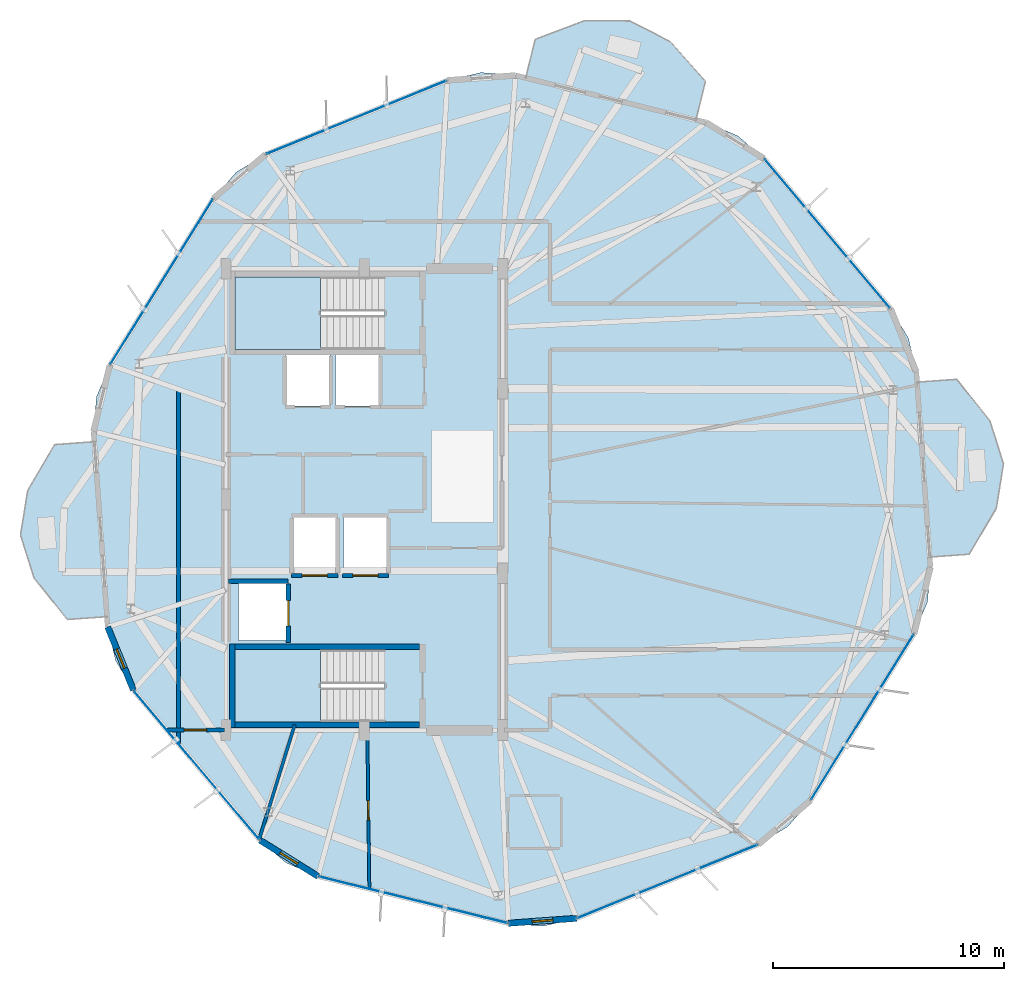
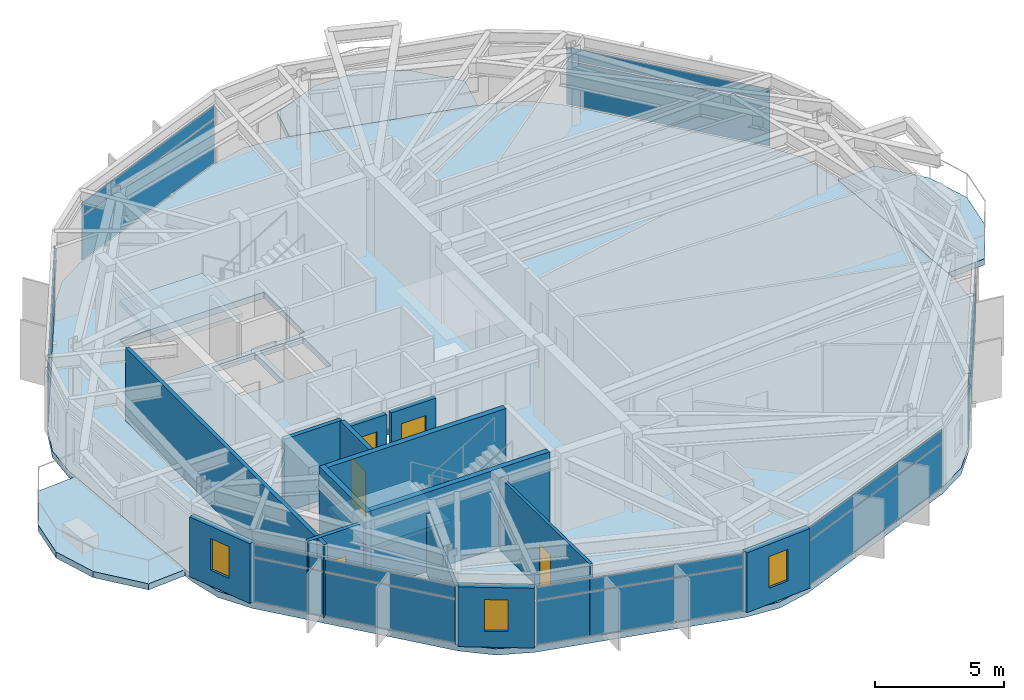
# One storey, part 20 of 26: 14 plates, 14 walls, 6 slabs, 5 doors, 3 windows, 8 openings, 9 elements without a shape of their own.
"""IFC4 building model written with IfcOpenShell, lengths in metres."""

from ifc_helpers import new_model, si_unit, direction, frame, frame_2d, origin, origin_2d, place, context, subcontext, project, spatial, polyline, rectangle, outline, extrude, material, layer, layer_set, type_object, element, fill, aggregate, save


model = new_model("IFC4")

# Units and contexts
model_context = context("Model", 3, precision=1e-05, world=origin(), true_north=direction((0.0, 1.0)))
body_context = subcontext(model_context, "Body", "Model", "MODEL_VIEW")
ifc_project = project(units=[si_unit("LENGTHUNIT", "METRE"), si_unit("AREAUNIT", "SQUARE_METRE"), si_unit("VOLUMEUNIT", "CUBIC_METRE"), si_unit("PLANEANGLEUNIT", "RADIAN"), si_unit("MASSUNIT", "GRAM", prefix="KILO")], contexts=[model_context])

# Site, building, storey
site_placement = place(None, origin())
site = spatial("IfcSite", under=ifc_project, at=site_placement, CompositionType="ELEMENT")
building_placement = place(site_placement, origin())
building = spatial("IfcBuilding", under=site, at=building_placement, Name="Soratama Intermodal Tower", CompositionType="ELEMENT")
storey_placement = place(building_placement, frame((0.0, 0.0, 246.25)))
storey = spatial("IfcBuildingStorey", under=building, at=storey_placement, Name="L62", CompositionType="ELEMENT", Elevation=246.25)

# Curtain wall, plates
ifc_material_1 = material(Name="Double-glazed aluminium curtain wall", Category="aluminium")
ifc_layer_1 = layer(ifc_material_1, 0.159912109375)
ifc_layer_set_1 = layer_set([ifc_layer_1], Name="Double-glazed aluminium curtain wall")
curtain_wall_type = type_object("IfcCurtainWallType", Name="CW-SYS-5", PredefinedType="NOTDEFINED", material=ifc_layer_set_1)
curtain_wall_1_placement = place(storey_placement, origin())
curtain_wall_1 = element("IfcCurtainWall", 1, at=curtain_wall_1_placement, inside=storey, type_object=curtain_wall_type, Name="L62 Faceted Curtain Wall F02", PredefinedType="NOTDEFINED")
ifc_material_2 = material(Name="Low-E laminated double glazing", Category="glass")
ifc_layer_2 = layer(ifc_material_2, 0.02001953125)
ifc_layer_set_2 = layer_set([ifc_layer_2], Name="Low-E laminated double glazing")
plate_type = type_object("IfcPlateType", Name="PT-CWP-5", PredefinedType="CURTAIN_PANEL", material=ifc_layer_set_2)
plate_1_placement = place(storey_placement, frame((38.26171875, 41.5615234375, 0.06005859375), z_axis=(0.0, 0.0, 1.0), x_axis=(-0.926261572372, -0.376881280442, 0.0)))
plate_1 = element("IfcPlate", 2, at=plate_1_placement, type_object=plate_type, Name="CW-5 panel 1.1", PredefinedType="CURTAIN_PANEL", context=body_context, shape_type="SweptSolid", body=[
    extrude(rectangle(XDim=8.379638671875, YDim=0.028076171875, at=origin_2d()), origin(), (0.0, 0.0, 1.0), 2.06005859375),
])
plate_2_placement = place(storey_placement, frame((38.26171875, 41.5615234375, 2.18017578125), z_axis=(0.0, 0.0, 1.0), x_axis=(-0.926261572372, -0.376881280442, 0.0)))
plate_2 = element("IfcPlate", 3, at=plate_2_placement, type_object=plate_type, Name="CW-5 panel 1.2", PredefinedType="CURTAIN_PANEL", context=body_context, shape_type="SweptSolid", body=[
    extrude(rectangle(XDim=8.379638671875, YDim=0.028076171875, at=origin_2d()), origin(), (0.0, 0.0, 1.0), 0.589111328125),
])
aggregate(curtain_wall_1, [plate_1, plate_2])

curtain_wall_2_placement = place(storey_placement, origin())
curtain_wall_2 = element("IfcCurtainWall", 4, at=curtain_wall_2_placement, inside=storey, type_object=curtain_wall_type, Name="L62 Faceted Curtain Wall F03", PredefinedType="NOTDEFINED")
plate_3_placement = place(storey_placement, frame((29.81396484375, 34.437744140625, 0.06005859375), z_axis=(0.0, 0.0, 1.0), x_axis=(-0.527848341818, -0.849338641556, 0.0)))
plate_3 = element("IfcPlate", 5, at=plate_3_placement, type_object=plate_type, Name="CW-5 panel 1.1", PredefinedType="CURTAIN_PANEL", context=body_context, shape_type="SweptSolid", body=[
    extrude(rectangle(XDim=8.3798828125, YDim=0.028076171875, at=origin_2d()), origin(), (0.0, 0.0, 1.0), 2.06005859375),
])
plate_4_placement = place(storey_placement, frame((29.81396484375, 34.437744140625, 2.18017578125), z_axis=(0.0, 0.0, 1.0), x_axis=(-0.527848341818, -0.849338641556, 0.0)))
plate_4 = element("IfcPlate", 6, at=plate_4_placement, type_object=plate_type, Name="CW-5 panel 1.2", PredefinedType="CURTAIN_PANEL", context=body_context, shape_type="SweptSolid", body=[
    extrude(rectangle(XDim=8.3798828125, YDim=0.028076171875, at=origin_2d()), origin(), (0.0, 0.0, 1.0), 0.589111328125),
])
aggregate(curtain_wall_2, [plate_3, plate_4])

curtain_wall_3_placement = place(storey_placement, origin())
curtain_wall_3 = element("IfcCurtainWall", 7, at=curtain_wall_3_placement, inside=storey, type_object=curtain_wall_type, Name="L62 Faceted Curtain Wall F05", PredefinedType="NOTDEFINED")
plate_5_placement = place(storey_placement, frame((31.331298828125, 13.4736328125, 0.06005859375), z_axis=(0.0, 0.0, 1.0), x_axis=(0.644663454047, -0.764466500912, 0.0)))
plate_5 = element("IfcPlate", 8, at=plate_5_placement, type_object=plate_type, Name="CW-5 panel 1.1", PredefinedType="CURTAIN_PANEL", context=body_context, shape_type="SweptSolid", body=[
    extrude(rectangle(XDim=8.3798828125, YDim=0.028076171875, at=origin_2d()), origin(), (0.0, 0.0, 1.0), 2.06005859375),
])
plate_6_placement = place(storey_placement, frame((31.331298828125, 13.4736328125, 2.18017578125), z_axis=(0.0, 0.0, 1.0), x_axis=(0.644663454047, -0.764466500912, 0.0)))
plate_6 = element("IfcPlate", 9, at=plate_6_placement, type_object=plate_type, Name="CW-5 panel 1.2", PredefinedType="CURTAIN_PANEL", context=body_context, shape_type="SweptSolid", body=[
    extrude(rectangle(XDim=8.3798828125, YDim=0.028076171875, at=origin_2d()), origin(), (0.0, 0.0, 1.0), 0.589111328125),
])
aggregate(curtain_wall_3, [plate_5, plate_6])

curtain_wall_4_placement = place(storey_placement, origin())
curtain_wall_4 = element("IfcCurtainWall", 10, at=curtain_wall_4_placement, inside=storey, type_object=curtain_wall_type, Name="L62 Faceted Curtain Wall F06", PredefinedType="NOTDEFINED")
plate_7_placement = place(storey_placement, frame((40.716796875, 7.640869140625, 0.06005859375), z_axis=(0.0, 0.0, 1.0), x_axis=(0.970884634624, -0.239547544865, 0.0)))
plate_7 = element("IfcPlate", 11, at=plate_7_placement, type_object=plate_type, Name="CW-5 panel 1.1", PredefinedType="CURTAIN_PANEL", context=body_context, shape_type="SweptSolid", body=[
    extrude(rectangle(XDim=8.3798828125, YDim=0.028076171875, at=origin_2d()), origin(), (0.0, 0.0, 1.0), 2.06005859375),
])
plate_8_placement = place(storey_placement, frame((40.716796875, 7.640869140625, 2.18017578125), z_axis=(0.0, 0.0, 1.0), x_axis=(0.970884634624, -0.239547544865, 0.0)))
plate_8 = element("IfcPlate", 12, at=plate_8_placement, type_object=plate_type, Name="CW-5 panel 1.2", PredefinedType="CURTAIN_PANEL", context=body_context, shape_type="SweptSolid", body=[
    extrude(rectangle(XDim=8.3798828125, YDim=0.028076171875, at=origin_2d()), origin(), (0.0, 0.0, 1.0), 0.589111328125),
])
aggregate(curtain_wall_4, [plate_7, plate_8])

curtain_wall_5_placement = place(storey_placement, origin())
curtain_wall_5 = element("IfcCurtainWall", 13, at=curtain_wall_5_placement, inside=storey, type_object=curtain_wall_type, Name="L62 Faceted Curtain Wall F07", PredefinedType="NOTDEFINED")
plate_9_placement = place(storey_placement, frame((51.73828125, 8.4384765625, 0.06005859375), z_axis=(0.0, 0.0, 1.0), x_axis=(0.926261572372, 0.376881280442, 0.0)))
plate_9 = element("IfcPlate", 14, at=plate_9_placement, type_object=plate_type, Name="CW-5 panel 1.1", PredefinedType="CURTAIN_PANEL", context=body_context, shape_type="SweptSolid", body=[
    extrude(rectangle(XDim=8.379638671875, YDim=0.028076171875, at=origin_2d()), origin(), (0.0, 0.0, 1.0), 2.06005859375),
])
plate_10_placement = place(storey_placement, frame((51.73828125, 8.4384765625, 2.18017578125), z_axis=(0.0, 0.0, 1.0), x_axis=(0.926261572372, 0.376881280442, 0.0)))
plate_10 = element("IfcPlate", 15, at=plate_10_placement, type_object=plate_type, Name="CW-5 panel 1.2", PredefinedType="CURTAIN_PANEL", context=body_context, shape_type="SweptSolid", body=[
    extrude(rectangle(XDim=8.379638671875, YDim=0.028076171875, at=origin_2d()), origin(), (0.0, 0.0, 1.0), 0.589111328125),
])
aggregate(curtain_wall_5, [plate_9, plate_10])

curtain_wall_6_placement = place(storey_placement, origin())
curtain_wall_6 = element("IfcCurtainWall", 16, at=curtain_wall_6_placement, inside=storey, type_object=curtain_wall_type, Name="L62 Faceted Curtain Wall F08", PredefinedType="NOTDEFINED")
plate_11_placement = place(storey_placement, frame((60.18603515625, 15.562255859375, 0.06005859375), z_axis=(0.0, 0.0, 1.0), x_axis=(0.527848341818, 0.849338641556, 0.0)))
plate_11 = element("IfcPlate", 17, at=plate_11_placement, type_object=plate_type, Name="CW-5 panel 1.1", PredefinedType="CURTAIN_PANEL", context=body_context, shape_type="SweptSolid", body=[
    extrude(rectangle(XDim=8.3798828125, YDim=0.028076171875, at=origin_2d()), origin(), (0.0, 0.0, 1.0), 2.06005859375),
])
plate_12_placement = place(storey_placement, frame((60.18603515625, 15.562255859375, 2.18017578125), z_axis=(0.0, 0.0, 1.0), x_axis=(0.527848341818, 0.849338641556, 0.0)))
plate_12 = element("IfcPlate", 18, at=plate_12_placement, type_object=plate_type, Name="CW-5 panel 1.2", PredefinedType="CURTAIN_PANEL", context=body_context, shape_type="SweptSolid", body=[
    extrude(rectangle(XDim=8.3798828125, YDim=0.028076171875, at=origin_2d()), origin(), (0.0, 0.0, 1.0), 0.589111328125),
])
aggregate(curtain_wall_6, [plate_11, plate_12])

curtain_wall_7_placement = place(storey_placement, origin())
curtain_wall_7 = element("IfcCurtainWall", 19, at=curtain_wall_7_placement, inside=storey, type_object=curtain_wall_type, Name="L62 Faceted Curtain Wall F10", PredefinedType="NOTDEFINED")
plate_13_placement = place(storey_placement, frame((58.668701171875, 36.5263671875, 0.06005859375), z_axis=(0.0, 0.0, 1.0), x_axis=(-0.644663454047, 0.764466500912, 0.0)))
plate_13 = element("IfcPlate", 20, at=plate_13_placement, type_object=plate_type, Name="CW-5 panel 1.1", PredefinedType="CURTAIN_PANEL", context=body_context, shape_type="SweptSolid", body=[
    extrude(rectangle(XDim=8.3798828125, YDim=0.028076171875, at=origin_2d()), origin(), (0.0, 0.0, 1.0), 2.06005859375),
])
plate_14_placement = place(storey_placement, frame((58.668701171875, 36.5263671875, 2.18017578125), z_axis=(0.0, 0.0, 1.0), x_axis=(-0.644663454047, 0.764466500912, 0.0)))
plate_14 = element("IfcPlate", 21, at=plate_14_placement, type_object=plate_type, Name="CW-5 panel 1.2", PredefinedType="CURTAIN_PANEL", context=body_context, shape_type="SweptSolid", body=[
    extrude(rectangle(XDim=8.3798828125, YDim=0.028076171875, at=origin_2d()), origin(), (0.0, 0.0, 1.0), 0.589111328125),
])
aggregate(curtain_wall_7, [plate_13, plate_14])

# Slabs
ifc_material_3 = material(Name="Concrete f'c 42 MPa", Category="concrete")
ifc_layer_3 = layer(ifc_material_3, 0.2900390625)
ifc_layer_set_3 = layer_set([ifc_layer_3], Name="Concrete f'c 42 MPa")
slab_type_1 = type_object("IfcSlabType", Name="SL-EXT-BAL2", PredefinedType="FLOOR", material=ifc_layer_set_3)
slab_1_placement = place(storey_placement, frame((0.0, 0.0, -0.2900390625)))
element("IfcSlab", 22, at=slab_1_placement, inside=storey, type_object=slab_type_1, Name="L62 Planted Balcony East 1", PredefinedType="FLOOR", context=body_context, shape_type="SweptSolid", body=[
    extrude(outline(polyline([(63.107421875, 22.500732421875), (62.558837890625, 30.080810546875), (64.2744140625, 30.204833984375), (65.718994140625, 28.404541015625), (66.30419921875, 26.5419921875), (65.993408203125, 24.614501953125), (64.822998046875, 22.625), (63.107421875, 22.500732421875)])), origin(), (0.0, 0.0, 1.0), 0.2900390625),
])
slab_2_placement = place(storey_placement, frame((0.0, 0.0, -0.2900390625)))
element("IfcSlab", 23, at=slab_2_placement, inside=storey, type_object=slab_type_1, Name="L62 Planted Balcony North 2", PredefinedType="FLOOR", context=body_context, shape_type="SweptSolid", body=[
    extrude(outline(polyline([(52.972412109375, 41.448974609375), (45.593994140625, 43.26953125), (46.005859375, 44.939453125), (48.16455078125, 45.757080078125), (50.11669921875, 45.73779296875), (51.853759765625, 44.8466796875), (53.384521484375, 43.118896484375), (52.972412109375, 41.448974609375)])), origin(), (0.0, 0.0, 1.0), 0.2900390625),
])
slab_3_placement = place(storey_placement, frame((0.0, 0.0, -0.2900390625)))
element("IfcSlab", 24, at=slab_3_placement, inside=storey, type_object=slab_type_1, Name="L62 Planted Balcony West 3", PredefinedType="FLOOR", context=body_context, shape_type="SweptSolid", body=[
    extrude(outline(polyline([(26.892578125, 27.499267578125), (27.441162109375, 19.919189453125), (25.7255859375, 19.795166015625), (24.281005859375, 21.595458984375), (23.69580078125, 23.4580078125), (24.006591796875, 25.385498046875), (25.177001953125, 27.375), (26.892578125, 27.499267578125)])), origin(), (0.0, 0.0, 1.0), 0.2900390625),
])

# Stair, slab
ifc_material_4 = material(Name="Concrete f'c 42 MPa", Category="concrete")
stair_type = type_object("IfcStairType", Name="ST-CORE-DOGLEG", PredefinedType="HALF_TURN_STAIR", material=ifc_material_4)
stair_1_placement = place(storey_placement, origin())
stair_1 = element("IfcStair", 25, at=stair_1_placement, inside=storey, type_object=stair_type, Name="L62 ST-1", PredefinedType="HALF_TURN_STAIR")
ifc_material_5 = material(Name="Concrete f'c 42 MPa", Category="concrete")
ifc_layer_4 = layer(ifc_material_5, 0.219970703125)
ifc_layer_set_4 = layer_set([ifc_layer_4], Name="Concrete f'c 42 MPa")
slab_type_2 = type_object("IfcSlabType", Name="SL-STAIR-LAND", PredefinedType="LANDING", material=ifc_layer_set_4)
slab_4_placement = place(storey_placement, frame((0.0, 0.0, 1.675048828125)))
slab_4 = element("IfcSlab", 26, at=slab_4_placement, type_object=slab_type_2, Name="ST-1 landing 1", PredefinedType="LANDING", context=body_context, shape_type="SweptSolid", body=[
    extrude(outline(polyline([(36.699951171875, 18.5), (33.0, 18.5), (33.0, 15.35009765625), (36.699951171875, 15.35009765625), (36.699951171875, 18.5)])), origin(), (0.0, 0.0, 1.0), 0.199951171875),
])
aggregate(stair_1, [slab_4])

stair_2_placement = place(storey_placement, origin())
stair_2 = element("IfcStair", 27, at=stair_2_placement, inside=storey, type_object=stair_type, Name="L62 ST-2", PredefinedType="HALF_TURN_STAIR")
slab_5_placement = place(storey_placement, frame((0.0, 0.0, 1.675048828125)))
slab_5 = element("IfcSlab", 28, at=slab_5_placement, type_object=slab_type_2, Name="ST-2 landing 1", PredefinedType="LANDING", context=body_context, shape_type="SweptSolid", body=[
    extrude(outline(polyline([(36.699951171875, 34.64990234375), (33.0, 34.64990234375), (33.0, 31.5), (36.699951171875, 31.5), (36.699951171875, 34.64990234375)])), origin(), (0.0, 0.0, 1.0), 0.199951171875),
])
aggregate(stair_2, [slab_5])

# Slab
ifc_material_6 = material(Name="Concrete f'c 42 MPa", Category="concrete")
ifc_layer_5 = layer(ifc_material_6, 0.280029296875)
ifc_layer_set_5 = layer_set([ifc_layer_5], Name="Concrete f'c 42 MPa")
slab_type_3 = type_object("IfcSlabType", Name="SL-TWR-280", PredefinedType="FLOOR", material=ifc_layer_set_5)
slab_6_placement = place(storey_placement, frame((0.0, 0.0, -0.300048828125)))
element("IfcSlab", 29, at=slab_6_placement, inside=storey, type_object=slab_type_3, Name="L62 Structural Floor Slab", PredefinedType="FLOOR", context=body_context, shape_type="SweptSolid", body=[
    extrude(outline(polyline([(55.928955078125, 39.775390625), (54.793212890625, 40.7578125), (53.4091796875, 41.34130859375), (45.156982421875, 43.377197265625), (43.66064453125, 43.504638671875), (42.197998046875, 43.1630859375), (34.3251953125, 39.959716796875), (33.039794921875, 39.18310546875), (32.05712890625, 38.04736328125), (27.570556640625, 30.828125), (26.9873046875, 29.4443359375), (26.860107421875, 27.947998046875), (27.4736328125, 19.470458984375), (27.81494140625, 18.0078125), (28.591552734375, 16.722412109375), (34.071044921875, 10.224609375), (35.206787109375, 9.2421875), (36.5908203125, 8.65869140625), (44.843017578125, 6.622802734375), (46.33935546875, 6.495361328125), (47.802001953125, 6.8369140625), (55.6748046875, 10.040283203125), (56.960205078125, 10.81689453125), (57.94287109375, 11.95263671875), (62.429443359375, 19.171875), (63.0126953125, 20.5556640625), (63.139892578125, 22.052001953125), (62.5263671875, 30.529541015625), (62.18505859375, 31.9921875), (61.408447265625, 33.277587890625), (55.928955078125, 39.775390625)]), holes=[polyline([(33.0, 15.35009765625), (39.47509765625, 15.35009765625), (39.47509765625, 18.5), (33.0, 18.5), (33.0, 15.35009765625)]), polyline([(35.260009765625, 21.409912109375), (33.139892578125, 21.409912109375), (33.139892578125, 18.889892578125), (35.260009765625, 18.889892578125), (35.260009765625, 21.409912109375)]), polyline([(37.409912109375, 24.260009765625), (35.489990234375, 24.260009765625), (35.489990234375, 21.739990234375), (37.409912109375, 21.739990234375), (37.409912109375, 24.260009765625)]), polyline([(39.610107421875, 24.260009765625), (37.68994140625, 24.260009765625), (37.68994140625, 21.739990234375), (39.610107421875, 21.739990234375), (39.610107421875, 24.260009765625)]), polyline([(37.110107421875, 31.260009765625), (35.18994140625, 31.260009765625), (35.18994140625, 29.0400390625), (37.110107421875, 29.0400390625), (37.110107421875, 31.260009765625)]), polyline([(39.260009765625, 31.260009765625), (37.340087890625, 31.260009765625), (37.340087890625, 29.0400390625), (39.260009765625, 29.0400390625), (39.260009765625, 31.260009765625)]), polyline([(33.0, 34.64990234375), (33.0, 31.5), (39.47509765625, 31.5), (39.47509765625, 34.64990234375), (33.0, 34.64990234375)])]), origin(), (0.0, 0.0, 1.0), 0.300048828125),
])

# Wall, opening, window
ifc_material_7 = material(Name="Concrete f'c 42 MPa", Category="concrete")
ifc_layer_6 = layer(ifc_material_7, 0.27001953125)
ifc_layer_set_6 = layer_set([ifc_layer_6], Name="Concrete f'c 42 MPa")
wall_type_1 = type_object("IfcWallType", Name="EW-CRN-270", PredefinedType="SOLIDWALL", material=ifc_layer_set_6)
wall_1_placement = place(storey_placement, frame((27.4736328125, 19.470458984375, 0.0), z_axis=(0.0, 0.0, 1.0), x_axis=(0.3768184741, -0.926287124803, 0.0)))
wall_1 = element("IfcWall", 30, at=wall_1_placement, inside=storey, type_object=wall_type_1, Name="L62 Corner Closure Wall 04", PredefinedType="SOLIDWALL", context=body_context, shape_type="SweptSolid", body=[
    extrude(rectangle(XDim=2.966796875, YDim=0.27001953125, at=frame_2d((1.4833984375, 0.0))), origin(), (0.0, 0.0, 1.0), 2.8291015625),
])
opening_1_placement = place(wall_1_placement, frame((1.033203125, 0.0, 0.75)))
opening_1 = element("IfcOpeningElement", 31, at=opening_1_placement, cuts=wall_1, Name="Opening WN-6", PredefinedType="OPENING", context=body_context, shape_type="SweptSolid", body=[
    extrude(rectangle(XDim=0.89990234375, YDim=1.5, at=frame_2d((0.449951171875, 0.75))), frame((0.0, 0.14501953125, 0.0), z_axis=(0.0, -1.0, 0.0), x_axis=(1.0, 0.0, 0.0)), (0.0, 0.0, 1.0), 0.2900390625),
])
ifc_material_8 = material(Name="Double-glazed aluminium window", Category="aluminium")
window_type = type_object("IfcWindowType", Name="WN-FAC-900", PartitioningType="SINGLE_PANEL", PredefinedType="WINDOW", material=ifc_material_8)
window_1_placement = place(opening_1_placement, origin())
window_1 = element("IfcWindow", 32, at=window_1_placement, inside=storey, type_object=window_type, Name="L62 Corner Window 04", OverallHeight=1.5, OverallWidth=0.89990234375, PartitioningType="SINGLE_PANEL", PredefinedType="WINDOW", context=body_context, shape_type="SweptSolid", body=[
    extrude(rectangle(XDim=0.89990234375, YDim=1.5, at=frame_2d((0.449951171875, 0.75))), frame((0.0, 0.030029296875, 0.0), z_axis=(0.0, -1.0, 0.0), x_axis=(1.0, 0.0, 0.0)), (0.0, 0.0, 1.0), 0.06005859375),
])
fill(opening_1, window_1)

wall_2_placement = place(storey_placement, frame((34.071044921875, 10.224609375, 0.0), z_axis=(0.0, 0.0, 1.0), x_axis=(0.849350139028, -0.527829841268, 0.0)))
wall_2 = element("IfcWall", 33, at=wall_2_placement, inside=storey, type_object=wall_type_1, Name="L62 Corner Closure Wall 05", PredefinedType="SOLIDWALL", context=body_context, shape_type="SweptSolid", body=[
    extrude(rectangle(XDim=2.966796875, YDim=0.27001953125, at=frame_2d((1.4833984375, 0.0))), origin(), (0.0, 0.0, 1.0), 2.8291015625),
])
opening_2_placement = place(wall_2_placement, frame((1.033203125, 0.0, 0.75)))
opening_2 = element("IfcOpeningElement", 34, at=opening_2_placement, cuts=wall_2, Name="Opening WN-6", PredefinedType="OPENING", context=body_context, shape_type="SweptSolid", body=[
    extrude(rectangle(XDim=0.89990234375, YDim=1.5, at=frame_2d((0.449951171875, 0.75))), frame((0.0, 0.14501953125, 0.0), z_axis=(0.0, -1.0, 0.0), x_axis=(1.0, 0.0, 0.0)), (0.0, 0.0, 1.0), 0.2900390625),
])
window_2_placement = place(opening_2_placement, origin())
window_2 = element("IfcWindow", 35, at=window_2_placement, inside=storey, type_object=window_type, Name="L62 Corner Window 05", OverallHeight=1.5, OverallWidth=0.89990234375, PartitioningType="SINGLE_PANEL", PredefinedType="WINDOW", context=body_context, shape_type="SweptSolid", body=[
    extrude(rectangle(XDim=0.89990234375, YDim=1.5, at=frame_2d((0.449951171875, 0.75))), frame((0.0, 0.030029296875, 0.0), z_axis=(0.0, -1.0, 0.0), x_axis=(1.0, 0.0, 0.0)), (0.0, 0.0, 1.0), 0.06005859375),
])
fill(opening_2, window_2)

wall_3_placement = place(storey_placement, frame((44.843017578125, 6.622802734375, 0.0), z_axis=(0.0, 0.0, 1.0), x_axis=(0.997392270269, 0.072171041339, 0.0)))
wall_3 = element("IfcWall", 36, at=wall_3_placement, inside=storey, type_object=wall_type_1, Name="L62 Corner Closure Wall 06", PredefinedType="SOLIDWALL", context=body_context, shape_type="SweptSolid", body=[
    extrude(rectangle(XDim=2.966796875, YDim=0.27001953125, at=frame_2d((1.4833984375, 0.0))), origin(), (0.0, 0.0, 1.0), 2.8291015625),
])
opening_3_placement = place(wall_3_placement, frame((1.033203125, 0.0, 0.75)))
opening_3 = element("IfcOpeningElement", 37, at=opening_3_placement, cuts=wall_3, Name="Opening WN-6", PredefinedType="OPENING", context=body_context, shape_type="SweptSolid", body=[
    extrude(rectangle(XDim=0.89990234375, YDim=1.5, at=frame_2d((0.449951171875, 0.75))), frame((0.0, 0.14501953125, 0.0), z_axis=(0.0, -1.0, 0.0), x_axis=(1.0, 0.0, 0.0)), (0.0, 0.0, 1.0), 0.2900390625),
])
window_3_placement = place(opening_3_placement, origin())
window_3 = element("IfcWindow", 38, at=window_3_placement, inside=storey, type_object=window_type, Name="L62 Corner Window 06", OverallHeight=1.5, OverallWidth=0.89990234375, PartitioningType="SINGLE_PANEL", PredefinedType="WINDOW", context=body_context, shape_type="SweptSolid", body=[
    extrude(rectangle(XDim=0.89990234375, YDim=1.5, at=frame_2d((0.449951171875, 0.75))), frame((0.0, 0.030029296875, 0.0), z_axis=(0.0, -1.0, 0.0), x_axis=(1.0, 0.0, 0.0)), (0.0, 0.0, 1.0), 0.06005859375),
])
fill(opening_3, window_3)

# Wall, opening, door
ifc_material_9 = material(Name="Fire-rated gypsum stud partition", Category="concrete")
ifc_layer_7 = layer(ifc_material_9, 0.169921875)
ifc_layer_set_7 = layer_set([ifc_layer_7], Name="Fire-rated gypsum stud partition")
wall_type_2 = type_object("IfcWallType", Name="IW-PART-R170", PredefinedType="PARTITIONING", material=ifc_layer_set_7)
wall_4_placement = place(storey_placement, frame((32.530029296875, 15.0, 0.0), z_axis=(0.0, 0.0, 1.0), x_axis=(-1.0, 0.0, 0.0)))
wall_4 = element("IfcWall", 39, at=wall_4_placement, inside=storey, type_object=wall_type_2, Name="L62 Partition W-L62-TP024", PredefinedType="PARTITIONING", context=body_context, shape_type="SweptSolid", body=[
    extrude(rectangle(XDim=2.486083984375, YDim=0.169921875, at=frame_2d((1.2431640625, 0.0))), origin(), (0.0, 0.0, 1.0), 3.449951171875),
])
opening_4_placement = place(wall_4_placement, frame((0.76806640625, 0.0, 0.0)))
opening_4 = element("IfcOpeningElement", 40, at=opening_4_placement, cuts=wall_4, Name="Opening ID-5", PredefinedType="OPENING", context=body_context, shape_type="SweptSolid", body=[
    extrude(rectangle(XDim=0.97998046875, YDim=2.14990234375, at=frame_2d((0.489990234375, 1.074951171875))), frame((0.0, 0.094970703125, 0.0), z_axis=(0.0, -1.0, 0.0), x_axis=(1.0, 0.0, 0.0)), (0.0, 0.0, 1.0), 0.18994140625),
])
ifc_material_10 = material(Name="Solid hardwood acoustic door", Category="wood")
door_type_1 = type_object("IfcDoorType", Name="DR-OFF-980", OperationType="NOTDEFINED", PredefinedType="DOOR", material=ifc_material_10)
door_1_placement = place(opening_4_placement, origin())
door_1 = element("IfcDoor", 41, at=door_1_placement, inside=storey, type_object=door_type_1, Name="L62 Door D-L62-TP011", OperationType="SINGLE_SWING_RIGHT", OverallHeight=2.14990234375, OverallWidth=0.97998046875, PredefinedType="DOOR", context=body_context, shape_type="SweptSolid", body=[
    extrude(rectangle(XDim=0.97998046875, YDim=2.14990234375, at=frame_2d((0.489990234375, 1.074951171875))), frame((0.0, 0.02490234375, 0.0), z_axis=(0.0, -1.0, 0.0), x_axis=(1.0, 0.0, 0.0)), (0.0, 0.0, 1.0), 0.050048828125),
])
fill(opening_4, door_1)

# Wall
wall_5_placement = place(storey_placement, frame((30.550048828125, 14.39990234375, 0.0), z_axis=(0.0, 0.0, 1.0), x_axis=(0.0, 1.0, 0.0)))
element("IfcWall", 42, at=wall_5_placement, inside=storey, type_object=wall_type_2, Name="L62 Partition W-L62-TP040", PredefinedType="PARTITIONING", context=body_context, shape_type="SweptSolid", body=[
    extrude(rectangle(XDim=15.4111328125, YDim=0.169921875, at=frame_2d((7.70556640625, 0.0))), origin(), (0.0, 0.0, 1.0), 3.449951171875),
])

# Wall, opening, door
ifc_material_11 = material(Name="Fire-rated gypsum stud partition", Category="concrete")
ifc_layer_8 = layer(ifc_material_11, 0.1298828125)
ifc_layer_set_8 = layer_set([ifc_layer_8], Name="Fire-rated gypsum stud partition")
wall_type_3 = type_object("IfcWallType", Name="IW-PART-S130", PredefinedType="PARTITIONING", material=ifc_layer_set_8)
wall_6_placement = place(storey_placement, frame((38.72900390625, 14.928955078125, 0.0), z_axis=(0.0, 0.0, 1.0), x_axis=(0.01274511582, -0.999918777713, 0.0)))
wall_6 = element("IfcWall", 43, at=wall_6_placement, inside=storey, type_object=wall_type_3, Name="L62 Partition W-L62-TP011", PredefinedType="PARTITIONING", context=body_context, shape_type="SweptSolid", body=[
    extrude(rectangle(XDim=6.8193359375, YDim=0.1298828125, at=frame_2d((3.40966796875, 0.0))), origin(), (0.0, 0.0, 1.0), 3.449951171875),
])
opening_5_placement = place(wall_6_placement, frame((2.985107421875, 0.0, 0.0)))
opening_5 = element("IfcOpeningElement", 44, at=opening_5_placement, cuts=wall_6, Name="Opening ID-4", PredefinedType="OPENING", context=body_context, shape_type="SweptSolid", body=[
    extrude(rectangle(XDim=0.85009765625, YDim=2.10009765625, at=frame_2d((0.425048828125, 1.050048828125))), frame((0.0, 0.074951171875, 0.0), z_axis=(0.0, -1.0, 0.0), x_axis=(1.0, 0.0, 0.0)), (0.0, 0.0, 1.0), 0.14990234375),
])
ifc_material_12 = material(Name="Solid hardwood acoustic door", Category="wood")
door_type_2 = type_object("IfcDoorType", Name="DR-BATH-850", OperationType="NOTDEFINED", PredefinedType="DOOR", material=ifc_material_12)
door_2_placement = place(opening_5_placement, origin())
door_2 = element("IfcDoor", 45, at=door_2_placement, inside=storey, type_object=door_type_2, Name="L62 Door D-L62-TP017", OperationType="SINGLE_SWING_LEFT", OverallHeight=2.10009765625, OverallWidth=0.85009765625, PredefinedType="DOOR", context=body_context, shape_type="SweptSolid", body=[
    extrude(rectangle(XDim=0.85009765625, YDim=2.10009765625, at=frame_2d((0.425048828125, 1.050048828125))), frame((0.0, 0.02490234375, 0.0), z_axis=(0.0, -1.0, 0.0), x_axis=(1.0, 0.0, 0.0)), (0.0, 0.0, 1.0), 0.050048828125),
])
fill(opening_5, door_2)

# Wall
ifc_material_13 = material(Name="Fire-rated gypsum stud partition", Category="concrete")
ifc_layer_9 = layer(ifc_material_13, 0.139892578125)
ifc_layer_set_9 = layer_set([ifc_layer_9], Name="Fire-rated gypsum stud partition")
wall_type_4 = type_object("IfcWallType", Name="IW-PART-S140", PredefinedType="PARTITIONING", material=ifc_layer_set_9)
wall_7_placement = place(storey_placement, frame((35.580078125, 15.22998046875, 0.0), z_axis=(0.0, 0.0, 1.0), x_axis=(-0.2953646639, -0.955384590267, 0.0)))
element("IfcWall", 46, at=wall_7_placement, inside=storey, type_object=wall_type_4, Name="L62 Partition W-L62-TP015", PredefinedType="PARTITIONING", context=body_context, shape_type="SweptSolid", body=[
    extrude(rectangle(XDim=5.2041015625, YDim=0.139892578125, at=frame_2d((2.60205078125, 0.0))), origin(), (0.0, 0.0, 1.0), 2.7451171875),
])

# Wall, opening, door
ifc_material_14 = material(Name="Concrete f'c 42 MPa", Category="concrete")
ifc_layer_10 = layer(ifc_material_14, 0.18505859375)
ifc_layer_set_10 = layer_set([ifc_layer_10], Name="Concrete f'c 42 MPa")
wall_type_5 = type_object("IfcWallType", Name="IW-SHAFT-185", PredefinedType="SOLIDWALL", material=ifc_layer_set_10)
wall_8_placement = place(storey_placement, frame((35.449951171875, 21.699951171875, 0.0), z_axis=(0.0, 0.0, 1.0), x_axis=(1.0, 0.0, 0.0)))
wall_8 = element("IfcWall", 47, at=wall_8_placement, inside=storey, type_object=wall_type_5, Name="L62 FFL-1 Hoistway Wall S", PredefinedType="SOLIDWALL", context=body_context, shape_type="SweptSolid", body=[
    extrude(rectangle(XDim=2.0, YDim=0.18505859375, at=frame_2d((1.0, 0.0))), origin(), (0.0, 0.0, 1.0), 2.823974609375),
])
opening_6_placement = place(wall_8_placement, frame((0.449951171875, 0.0, 0.0)))
opening_6 = element("IfcOpeningElement", 48, at=opening_6_placement, cuts=wall_8, Name="Opening LD-1", PredefinedType="OPENING", context=body_context, shape_type="SweptSolid", body=[
    extrude(rectangle(XDim=1.10009765625, YDim=2.14990234375, at=frame_2d((0.550048828125, 1.074951171875))), frame((0.0, 0.1025390625, 0.0), z_axis=(0.0, -1.0, 0.0), x_axis=(1.0, 0.0, 0.0)), (0.0, 0.0, 1.0), 0.205078125),
])
ifc_material_15 = material(Name="Steel fire door", Category="steel")
door_type_3 = type_object("IfcDoorType", Name="DR-LIFT-SLIDE", OperationType="NOTDEFINED", PredefinedType="DOOR", material=ifc_material_15)
door_3_placement = place(opening_6_placement, origin())
door_3 = element("IfcDoor", 49, at=door_3_placement, inside=storey, type_object=door_type_3, Name="L62 FFL-1 Sliding Landing Door", OperationType="SLIDING_TO_LEFT", OverallHeight=2.14990234375, OverallWidth=1.10009765625, PredefinedType="DOOR", context=body_context, shape_type="SweptSolid", body=[
    extrude(rectangle(XDim=1.10009765625, YDim=2.14990234375, at=frame_2d((0.550048828125, 1.074951171875))), frame((0.0, 0.02490234375, 0.0), z_axis=(0.0, -1.0, 0.0), x_axis=(1.0, 0.0, 0.0)), (0.0, 0.0, 1.0), 0.050048828125),
])
fill(opening_6, door_3)

wall_9_placement = place(storey_placement, frame((37.64990234375, 21.699951171875, 0.0), z_axis=(0.0, 0.0, 1.0), x_axis=(1.0, 0.0, 0.0)))
wall_9 = element("IfcWall", 50, at=wall_9_placement, inside=storey, type_object=wall_type_5, Name="L62 FFL-2 Hoistway Wall S", PredefinedType="SOLIDWALL", context=body_context, shape_type="SweptSolid", body=[
    extrude(rectangle(XDim=2.0, YDim=0.18505859375, at=frame_2d((1.0, 0.0))), origin(), (0.0, 0.0, 1.0), 2.823974609375),
])
opening_7_placement = place(wall_9_placement, frame((0.449951171875, 0.0, 0.0)))
opening_7 = element("IfcOpeningElement", 51, at=opening_7_placement, cuts=wall_9, Name="Opening LD-1", PredefinedType="OPENING", context=body_context, shape_type="SweptSolid", body=[
    extrude(rectangle(XDim=1.10009765625, YDim=2.14990234375, at=frame_2d((0.550048828125, 1.074951171875))), frame((0.0, 0.1025390625, 0.0), z_axis=(0.0, -1.0, 0.0), x_axis=(1.0, 0.0, 0.0)), (0.0, 0.0, 1.0), 0.205078125),
])
door_4_placement = place(opening_7_placement, origin())
door_4 = element("IfcDoor", 52, at=door_4_placement, inside=storey, type_object=door_type_3, Name="L62 FFL-2 Sliding Landing Door", OperationType="SLIDING_TO_LEFT", OverallHeight=2.14990234375, OverallWidth=1.10009765625, PredefinedType="DOOR", context=body_context, shape_type="SweptSolid", body=[
    extrude(rectangle(XDim=1.10009765625, YDim=2.14990234375, at=frame_2d((0.550048828125, 1.074951171875))), frame((0.0, 0.02490234375, 0.0), z_axis=(0.0, -1.0, 0.0), x_axis=(1.0, 0.0, 0.0)), (0.0, 0.0, 1.0), 0.050048828125),
])
fill(opening_7, door_4)

# Wall
wall_10_placement = place(storey_placement, frame((32.719970703125, 21.449951171875, 0.0), z_axis=(0.0, 0.0, 1.0), x_axis=(1.0, 0.0, 0.0)))
element("IfcWall", 53, at=wall_10_placement, inside=storey, type_object=wall_type_5, Name="L62 SVL-1 Hoistway Wall N", PredefinedType="SOLIDWALL", context=body_context, shape_type="SweptSolid", body=[
    extrude(rectangle(XDim=2.580078125, YDim=0.18505859375, at=frame_2d((1.2900390625, 0.0))), origin(), (0.0, 0.0, 1.0), 3.449951171875),
])

# Wall, opening, door
wall_11_placement = place(storey_placement, frame((35.300048828125, 18.7900390625, 0.0), z_axis=(0.0, 0.0, 1.0), x_axis=(0.0, 1.0, 0.0)))
wall_11 = element("IfcWall", 54, at=wall_11_placement, inside=storey, type_object=wall_type_5, Name="L62 SVL-1 Hoistway Wall E", PredefinedType="SOLIDWALL", context=body_context, shape_type="SweptSolid", body=[
    extrude(rectangle(XDim=2.550048828125, YDim=0.18505859375, at=frame_2d((1.27490234375, 0.0))), origin(), (0.0, 0.0, 1.0), 3.449951171875),
])
opening_8_placement = place(wall_11_placement, frame((0.72509765625, 0.0, 0.0)))
opening_8 = element("IfcOpeningElement", 55, at=opening_8_placement, cuts=wall_11, Name="Opening LD-1", PredefinedType="OPENING", context=body_context, shape_type="SweptSolid", body=[
    extrude(rectangle(XDim=1.10009765625, YDim=2.14990234375, at=frame_2d((0.550048828125, 1.074951171875))), frame((0.0, 0.1025390625, 0.0), z_axis=(0.0, -1.0, 0.0), x_axis=(1.0, 0.0, 0.0)), (0.0, 0.0, 1.0), 0.205078125),
])
door_5_placement = place(opening_8_placement, origin())
door_5 = element("IfcDoor", 56, at=door_5_placement, inside=storey, type_object=door_type_3, Name="L62 SVL-1 Sliding Landing Door", OperationType="SLIDING_TO_LEFT", OverallHeight=2.14990234375, OverallWidth=1.10009765625, PredefinedType="DOOR", context=body_context, shape_type="SweptSolid", body=[
    extrude(rectangle(XDim=1.10009765625, YDim=2.14990234375, at=frame_2d((0.550048828125, 1.074951171875))), frame((0.0, 0.02490234375, 0.0), z_axis=(0.0, -1.0, 0.0), x_axis=(1.0, 0.0, 0.0)), (0.0, 0.0, 1.0), 0.050048828125),
])
fill(opening_8, door_5)

# Walls
ifc_material_16 = material(Name="Concrete f'c 56 MPa", Category="concrete")
ifc_layer_11 = layer(ifc_material_16, 0.239990234375)
ifc_layer_set_11 = layer_set([ifc_layer_11], Name="Concrete f'c 56 MPa")
wall_type_6 = type_object("IfcWallType", Name="SW-STAIR-240", PredefinedType="SHEAR", material=ifc_layer_set_11)
wall_12_placement = place(storey_placement, frame((32.8798828125, 15.110107421875, 0.0), z_axis=(0.0, 0.0, 1.0), x_axis=(0.0, 1.0, 0.0)))
element("IfcWall", 57, at=wall_12_placement, inside=storey, type_object=wall_type_6, Name="L62 ST-1 Shaft Shear Wall W", PredefinedType="SHEAR", context=body_context, shape_type="SweptSolid", body=[
    extrude(rectangle(XDim=3.6298828125, YDim=0.239990234375, at=frame_2d((1.81494140625, 0.0))), origin(), (0.0, 0.0, 1.0), 3.75),
])
for number, where, z_axis, x_axis, name in (
    (58, (33.0, 15.22998046875, 0.0), (0.0, 0.0, 1.0), (1.0, 0.0, 0.0), "L62 ST-1 Shaft Shear Wall S"),
    (59, (33.0, 18.6201171875, 0.0), (0.0, 0.0, 1.0), (1.0, 0.0, 0.0), "L62 ST-1 Shaft Shear Wall N"),
):
    element("IfcWall", number, at=place(storey_placement, frame(where, z_axis=z_axis, x_axis=x_axis)), inside=storey, type_object=wall_type_6, Name=name, PredefinedType="SHEAR", context=body_context, shape_type="SweptSolid", body=[
        extrude(rectangle(XDim=8.0, YDim=0.239990234375, at=frame_2d((4.0, 0.0))), origin(), (0.0, 0.0, 1.0), 3.75),
    ])

save(model, "model.ifc")
